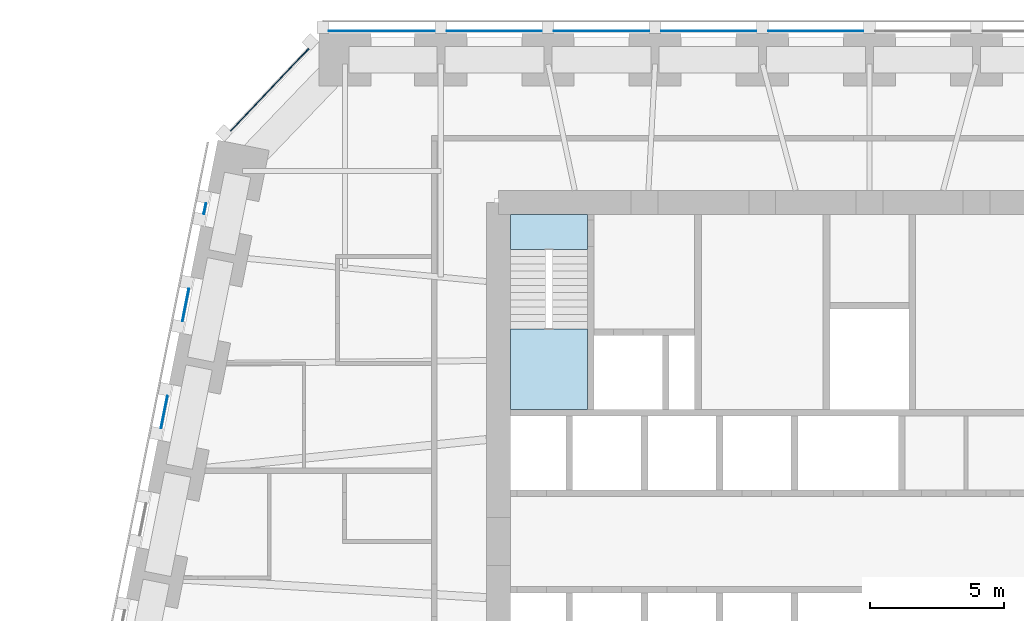
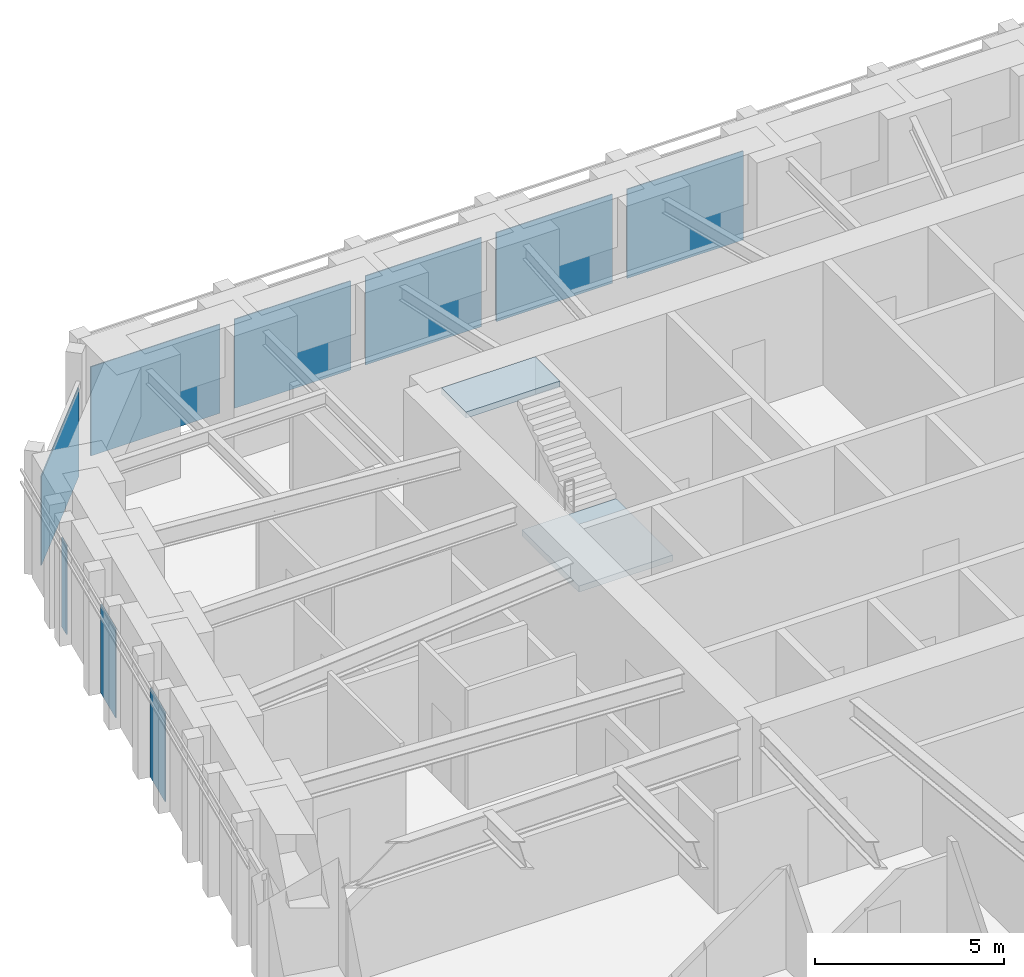
# One storey, part 10 of 16: 9 plates, 2 slabs, 6 elements without a shape of their own.
"""IFC4 building model written with IfcOpenShell, lengths in metres."""

from ifc_helpers import new_model, si_unit, direction, frame, origin, origin_2d, place, context, subcontext, project, spatial, polyline, rectangle, outline, extrude, material, layer, layer_set, type_object, element, aggregate, save


model = new_model("IFC4")

# Units and contexts
model_context = context("Model", 3, precision=1e-05, world=origin(), true_north=direction((0.0, 1.0)))
body_context = subcontext(model_context, "Body", "Model", "MODEL_VIEW")
ifc_project = project(units=[si_unit("LENGTHUNIT", "METRE"), si_unit("AREAUNIT", "SQUARE_METRE"), si_unit("VOLUMEUNIT", "CUBIC_METRE"), si_unit("PLANEANGLEUNIT", "RADIAN"), si_unit("MASSUNIT", "GRAM", prefix="KILO")], contexts=[model_context])

# Site, building, storey
site_placement = place(None, origin())
site = spatial("IfcSite", under=ifc_project, at=site_placement, CompositionType="ELEMENT")
building_placement = place(site_placement, origin())
building = spatial("IfcBuilding", under=site, at=building_placement, Name="Isbrekke Arena Tower", CompositionType="ELEMENT")
storey_placement = place(building_placement, frame((0.0, 0.0, 44.0)))
storey = spatial("IfcBuildingStorey", under=building, at=storey_placement, Name="L08", CompositionType="ELEMENT", Elevation=44.0)

# Curtain wall, plates
ifc_material_1 = material(Name="Glazed aluminium curtain wall", Category="aluminium")
curtain_wall_type = type_object("IfcCurtainWallType", Name="CWL TOWER CURTAIN WALL LOW ZONE", PredefinedType="USERDEFINED", material=ifc_material_1)
curtain_wall_1_placement = place(storey_placement, origin())
curtain_wall_1 = element("IfcCurtainWall", 1, at=curtain_wall_1_placement, inside=storey, type_object=curtain_wall_type, Name="CWL curtain wall L08-N", ObjectType="TOWER CURTAIN WALL LOW ZONE", PredefinedType="USERDEFINED")
ifc_material_2 = material(Name="Triple-glazed clear glass unit", Category="glass")
ifc_layer_1 = layer(ifc_material_2, 0.031982421875)
ifc_layer_set_1 = layer_set([ifc_layer_1], Name="CWL-P VISION PANEL")
plate_type = type_object("IfcPlateType", Name="CWL-P VISION PANEL", PredefinedType="CURTAIN_PANEL", material=ifc_layer_set_1)
plate_1_placement = place(storey_placement, frame((-2.0, 30.25, 0.02001953125), z_axis=(0.0, 0.0, 1.0), x_axis=(-1.0, 0.0, 0.0)))
plate_1 = element("IfcPlate", 2, at=plate_1_placement, type_object=plate_type, Name="CWL-P panel 6", PredefinedType="CURTAIN_PANEL", context=body_context, shape_type="SweptSolid", body=[
    extrude(rectangle(XDim=3.550048828125, YDim=0.031982421875, at=origin_2d()), origin(), (0.0, 0.0, 1.0), 2.8798828125),
])
plate_2_placement = place(storey_placement, frame((-6.0, 30.25, 0.02001953125), z_axis=(0.0, 0.0, 1.0), x_axis=(-1.0, 0.0, 0.0)))
plate_2 = element("IfcPlate", 3, at=plate_2_placement, type_object=plate_type, Name="CWL-P panel 7", PredefinedType="CURTAIN_PANEL", context=body_context, shape_type="SweptSolid", body=[
    extrude(rectangle(XDim=3.550048828125, YDim=0.031982421875, at=origin_2d()), origin(), (0.0, 0.0, 1.0), 2.8798828125),
])
plate_3_placement = place(storey_placement, frame((-10.0, 30.25, 0.02001953125), z_axis=(0.0, 0.0, 1.0), x_axis=(-1.0, 0.0, 0.0)))
plate_3 = element("IfcPlate", 4, at=plate_3_placement, type_object=plate_type, Name="CWL-P panel 8", PredefinedType="CURTAIN_PANEL", context=body_context, shape_type="SweptSolid", body=[
    extrude(rectangle(XDim=3.550048828125, YDim=0.031982421875, at=origin_2d()), origin(), (0.0, 0.0, 1.0), 2.8798828125),
])
plate_4_placement = place(storey_placement, frame((-14.0, 30.25, 0.02001953125), z_axis=(0.0, 0.0, 1.0), x_axis=(-1.0, 0.0, 0.0)))
plate_4 = element("IfcPlate", 5, at=plate_4_placement, type_object=plate_type, Name="CWL-P panel 9", PredefinedType="CURTAIN_PANEL", context=body_context, shape_type="SweptSolid", body=[
    extrude(rectangle(XDim=3.550048828125, YDim=0.031982421875, at=origin_2d()), origin(), (0.0, 0.0, 1.0), 2.8798828125),
])
plate_5_placement = place(storey_placement, frame((-18.199951171875, 30.25, 0.02001953125), z_axis=(0.0, 0.0, 1.0), x_axis=(-1.0, 0.0, 0.0)))
plate_5 = element("IfcPlate", 6, at=plate_5_placement, type_object=plate_type, Name="CWL-P panel 10", PredefinedType="CURTAIN_PANEL", context=body_context, shape_type="SweptSolid", body=[
    extrude(rectangle(XDim=3.949951171875, YDim=0.031982421875, at=origin_2d()), origin(), (0.0, 0.0, 1.0), 2.8798828125),
])
aggregate(curtain_wall_1, [plate_1, plate_2, plate_3, plate_4, plate_5])

# Curtain wall, plate
curtain_wall_2_placement = place(storey_placement, origin())
curtain_wall_2 = element("IfcCurtainWall", 7, at=curtain_wall_2_placement, inside=storey, type_object=curtain_wall_type, Name="CWL curtain wall L08-NW", ObjectType="TOWER CURTAIN WALL LOW ZONE", PredefinedType="USERDEFINED")
plate_6_placement = place(storey_placement, frame((-22.38623046875, 28.054443359375, 0.02001953125), z_axis=(0.0, 0.0, 1.0), x_axis=(-0.68874946192, -0.72499943359, 0.0)))
plate_6 = element("IfcPlate", 8, at=plate_6_placement, type_object=plate_type, Name="CWL-P panel 1", PredefinedType="CURTAIN_PANEL", context=body_context, shape_type="SweptSolid", body=[
    extrude(rectangle(XDim=4.22802734375, YDim=0.031982421875, at=origin_2d()), origin(), (0.0, 0.0, 1.0), 2.8798828125),
])
aggregate(curtain_wall_2, [plate_6])

curtain_wall_3_placement = place(storey_placement, origin())
curtain_wall_3 = element("IfcCurtainWall", 9, at=curtain_wall_3_placement, inside=storey, type_object=curtain_wall_type, Name="CWL curtain wall L08-W", ObjectType="TOWER CURTAIN WALL LOW ZONE", PredefinedType="USERDEFINED")
plate_7_placement = place(storey_placement, frame((-24.80322265625, 23.62109375, 0.02001953125), z_axis=(0.0, 0.0, 1.0), x_axis=(-0.196116135138, -0.980580675691, 0.0)))
plate_7 = element("IfcPlate", 10, at=plate_7_placement, type_object=plate_type, Name="CWL-P panel 1", PredefinedType="CURTAIN_PANEL", context=body_context, shape_type="SweptSolid", body=[
    extrude(rectangle(XDim=0.40625, YDim=0.031982421875, at=origin_2d()), origin(), (0.0, 0.0, 1.0), 2.8798828125),
])
aggregate(curtain_wall_3, [plate_7])

curtain_wall_4_placement = place(storey_placement, origin())
curtain_wall_4 = element("IfcCurtainWall", 11, at=curtain_wall_4_placement, inside=storey, type_object=curtain_wall_type, Name="CWL curtain wall L08-W3", ObjectType="TOWER CURTAIN WALL LOW ZONE", PredefinedType="USERDEFINED")
plate_8_placement = place(storey_placement, frame((-25.5224609375, 20.0244140625, 0.02001953125), z_axis=(0.0, 0.0, 1.0), x_axis=(-0.196116135138, -0.980580675691, 0.0)))
plate_8 = element("IfcPlate", 12, at=plate_8_placement, type_object=plate_type, Name="CWL-P panel 1", PredefinedType="CURTAIN_PANEL", context=body_context, shape_type="SweptSolid", body=[
    extrude(rectangle(XDim=1.229248046875, YDim=0.031982421875, at=origin_2d()), origin(), (0.0, 0.0, 1.0), 2.8798828125),
])
aggregate(curtain_wall_4, [plate_8])

curtain_wall_5_placement = place(storey_placement, origin())
curtain_wall_5 = element("IfcCurtainWall", 13, at=curtain_wall_5_placement, inside=storey, type_object=curtain_wall_type, Name="CWL curtain wall L08-W5", ObjectType="TOWER CURTAIN WALL LOW ZONE", PredefinedType="USERDEFINED")
plate_9_placement = place(storey_placement, frame((-26.322509765625, 16.0244140625, 0.02001953125), z_axis=(0.0, 0.0, 1.0), x_axis=(-0.196116135138, -0.980580675691, 0.0)))
plate_9 = element("IfcPlate", 14, at=plate_9_placement, type_object=plate_type, Name="CWL-P panel 1", PredefinedType="CURTAIN_PANEL", context=body_context, shape_type="SweptSolid", body=[
    extrude(rectangle(XDim=1.229248046875, YDim=0.031982421875, at=origin_2d()), origin(), (0.0, 0.0, 1.0), 2.8798828125),
])
aggregate(curtain_wall_5, [plate_9])

# Stair, slabs
ifc_material_3 = material(Name="Concrete B45 (C45/55) precast", Category="concrete")
stair_type = type_object("IfcStairType", Name="ST40 STAIR 1300 WIDE, 24 RISERS 167", PredefinedType="HALF_TURN_STAIR", material=ifc_material_3)
stair_placement = place(storey_placement, origin())
stair = element("IfcStair", 15, at=stair_placement, inside=storey, type_object=stair_type, Name="ST1 stair L08", PredefinedType="HALF_TURN_STAIR")
ifc_material_4 = material(Name="Concrete B35 (C35/45)", Category="concrete")
ifc_layer_2 = layer(ifc_material_4, 0.199951171875)
ifc_layer_set_2 = layer_set([ifc_layer_2], Name="SL1 STAIR LANDING 200")
slab_type = type_object("IfcSlabType", Name="SL1 STAIR LANDING 200", PredefinedType="LANDING", material=ifc_layer_set_2)
slab_1_placement = place(storey_placement, frame((0.0, 0.0, 1.800048828125)))
slab_1 = element("IfcSlab", 16, at=slab_1_placement, type_object=slab_type, Name="ST1 landing 1", PredefinedType="LANDING", context=body_context, shape_type="SweptSolid", body=[
    extrude(outline(polyline([(-13.39990234375, 16.125), (-10.52490234375, 16.125), (-10.52490234375, 19.1298828125), (-13.39990234375, 19.1298828125), (-13.39990234375, 16.125)])), origin(), (0.0, 0.0, 1.0), 0.199951171875),
])
slab_2_placement = place(storey_placement, frame((0.0, 0.0, 3.800048828125)))
slab_2 = element("IfcSlab", 17, at=slab_2_placement, type_object=slab_type, Name="ST1 landing 2", PredefinedType="LANDING", context=body_context, shape_type="SweptSolid", body=[
    extrude(outline(polyline([(-13.39990234375, 22.10009765625), (-10.52490234375, 22.10009765625), (-10.52490234375, 23.39990234375), (-13.39990234375, 23.39990234375), (-13.39990234375, 22.10009765625)])), origin(), (0.0, 0.0, 1.0), 0.199951171875),
])
aggregate(stair, [slab_1, slab_2])

save(model, "model.ifc")
